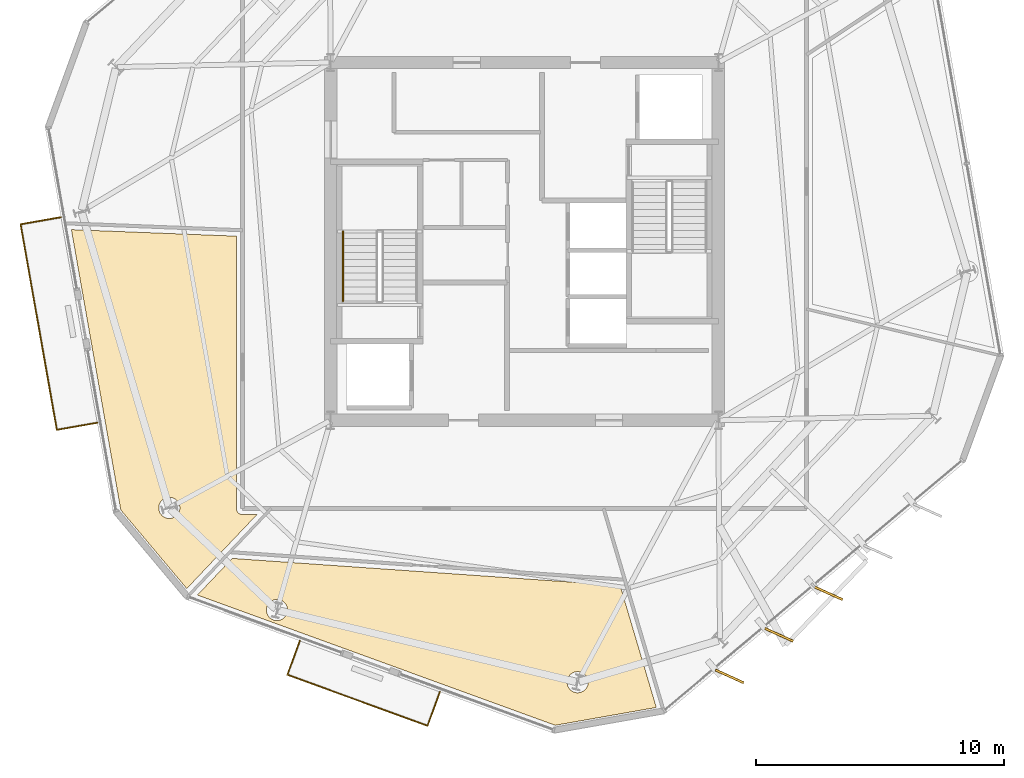
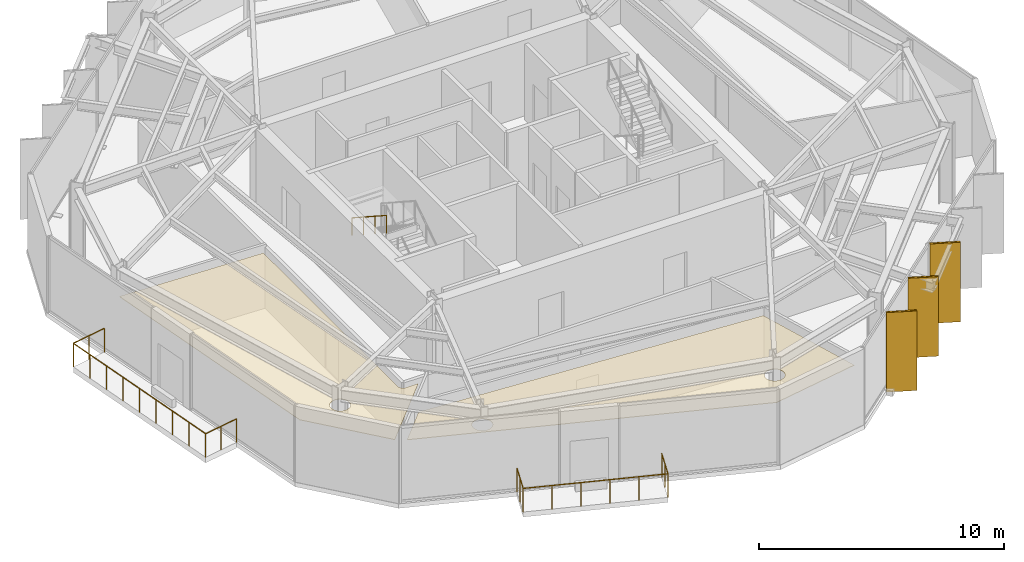
# One storey, part 9 of 11: 5 coverings, 3 railings, 3 shading devices.
"""IFC4 building model written with IfcOpenShell, lengths in metres."""

from ifc_helpers import new_model, si_unit, direction, frame, origin, origin_2d, place, context, subcontext, project, spatial, polyline, rectangle, circle, outline, extrude, material, layer, layer_set, type_object, element, save


model = new_model("IFC4")

# Units and contexts
model_context = context("Model", 3, precision=1e-05, world=origin(), true_north=direction((0.0, 1.0)))
body_context = subcontext(model_context, "Body", "Model", "MODEL_VIEW")
ifc_project = project(units=[si_unit("LENGTHUNIT", "METRE"), si_unit("AREAUNIT", "SQUARE_METRE"), si_unit("VOLUMEUNIT", "CUBIC_METRE"), si_unit("PLANEANGLEUNIT", "RADIAN"), si_unit("MASSUNIT", "GRAM", prefix="KILO")], contexts=[model_context])

# Site, building, storey
site_placement = place(None, origin())
site = spatial("IfcSite", under=ifc_project, at=site_placement, CompositionType="ELEMENT")
building_placement = place(site_placement, origin())
building = spatial("IfcBuilding", under=site, at=building_placement, Name="Kranzbogen Civic Tower", CompositionType="ELEMENT")
storey_placement = place(building_placement, frame((0.0, 0.0, 184.800048828125)))
storey = spatial("IfcBuildingStorey", under=building, at=storey_placement, Name="L44", CompositionType="ELEMENT", Elevation=184.800048828125)

# Coverings
ifc_material_1 = material(Name="Pale Anodised Aluminium", Category="aluminium")
ifc_layer_1 = layer(ifc_material_1, 0.02490234375, Name="Pale Anodised Aluminium")
ifc_layer_set_1 = layer_set([ifc_layer_1], Name="Pale Anodised Aluminium")
covering_type_1 = type_object("IfcCoveringType", Name="Anodised Aluminium Vertical Fin Cladding 25 mm", PredefinedType="CLADDING", material=ifc_layer_set_1)
for number, where, z_axis, x_axis, name in (
    (1, (33.2529296875, 7.49609375, -0.14013671875), (0.0, 0.0, 1.0), (0.91100063367, -0.412404953235, 0.0), "L44 vertical fin pale-metal cladding F5-1"),
    (2, (35.2451171875, 9.1669921875, -0.14013671875), (0.0, 0.0, 1.0), (0.91100063367, -0.412404953235, 0.0), "L44 vertical fin pale-metal cladding F5-2"),
    (3, (37.236083984375, 10.839111328125, -0.14013671875), (0.0, 0.0, 1.0), (0.91100063367, -0.412404953235, 0.0), "L44 vertical fin pale-metal cladding F5-3"),
):
    element("IfcCovering", number, at=place(storey_placement, frame(where, z_axis=z_axis, x_axis=x_axis)), inside=storey, type_object=covering_type_1, Name=name, PredefinedType="CLADDING", context=body_context, shape_type="SweptSolid", body=[
        extrude(rectangle(XDim=1.25, YDim=0.10009765625, at=origin_2d()), origin(), (0.0, 0.0, 1.0), 3.9599609375),
    ])

# Shading devices
ifc_material_2 = material(Name="Anodised Bronze Aluminium", Category="aluminium")
shading_device_type = type_object("IfcShadingDeviceType", Name="Anodised Bronze Vertical Facade Fin 1250x80", PredefinedType="USERDEFINED", material=ifc_material_2)
for number, where, z_axis, x_axis, name in (
    (4, (33.2529296875, 7.49609375, -0.14013671875), (0.0, 0.0, 1.0), (0.91100063367, -0.412404953235, 0.0), "L44 vertical exterior shading fin F5-1"),
    (5, (35.2451171875, 9.1669921875, -0.14013671875), (0.0, 0.0, 1.0), (0.91100063367, -0.412404953235, 0.0), "L44 vertical exterior shading fin F5-2"),
    (6, (37.236083984375, 10.839111328125, -0.14013671875), (0.0, 0.0, 1.0), (0.91100063367, -0.412404953235, 0.0), "L44 vertical exterior shading fin F5-3"),
):
    element("IfcShadingDevice", number, at=place(storey_placement, frame(where, z_axis=z_axis, x_axis=x_axis)), inside=storey, type_object=shading_device_type, Name=name, ObjectType="FIN", PredefinedType="USERDEFINED", context=body_context, shape_type="SweptSolid", body=[
        extrude(rectangle(XDim=1.25, YDim=0.080078125, at=origin_2d()), origin(), (0.0, 0.0, 1.0), 3.9599609375),
    ])

# Railings
railing_type_1 = type_object("IfcRailingType", Name="Cantilevered Balcony Glass and Bronze Balustrade 1200", PredefinedType="BALUSTRADE", material=ifc_material_2)
railing_1_placement = place(storey_placement, frame((15.9560546875, 8.924072265625, 0.0)))
element("IfcRailing", 7, at=railing_1_placement, inside=storey, type_object=railing_type_1, Name="L44 exterior terrace balustrade L44-TB1", PredefinedType="BALUSTRADE", context=body_context, shape_type="SweptSolid", body=[
    extrude(circle(Radius=0.02392578125, at=origin_2d()), frame((0.0, 0.0, 1.17578125), z_axis=(-0.342013333644, -0.939695099279, 0.0), x_axis=(0.939695099279, -0.342013333644, 0.0)), (0.0, 0.0, 1.0), 1.450439453125),
    extrude(circle(Radius=0.02392578125, at=origin_2d()), frame((-0.49609375, -1.363037109375, 1.17578125), z_axis=(0.939694773679, -0.342014228241, 0.0), x_axis=(0.342014228241, 0.939694773679, 0.0)), (0.0, 0.0, 1.0), 5.999755859375),
    extrude(circle(Radius=0.02392578125, at=origin_2d()), frame((5.141845703125, -3.4150390625, 1.17578125), z_axis=(0.342013333644, 0.939695099279, 0.0), x_axis=(-0.939695099279, 0.342013333644, 0.0)), (0.0, 0.0, 1.0), 1.450439453125),
    extrude(circle(Radius=0.02099609375, at=origin_2d()), origin(), (0.0, 0.0, 1.0), 1.15185546875),
    extrude(circle(Radius=0.02099609375, at=origin_2d()), frame((-0.248046875, -0.681640625, 0.0)), (0.0, 0.0, 1.0), 1.15185546875),
    extrude(circle(Radius=0.02099609375, at=origin_2d()), frame((-0.49609375, -1.363037109375, 0.0)), (0.0, 0.0, 1.0), 1.15185546875),
    extrude(circle(Radius=0.02099609375, at=origin_2d()), frame((0.631591796875, -1.7734375, 0.0)), (0.0, 0.0, 1.0), 1.15185546875),
    extrude(circle(Radius=0.02099609375, at=origin_2d()), frame((1.759033203125, -2.183837890625, 0.0)), (0.0, 0.0, 1.0), 1.15185546875),
    extrude(circle(Radius=0.02099609375, at=origin_2d()), frame((2.88671875, -2.59423828125, 0.0)), (0.0, 0.0, 1.0), 1.15185546875),
    extrude(circle(Radius=0.02099609375, at=origin_2d()), frame((4.01416015625, -3.004638671875, 0.0)), (0.0, 0.0, 1.0), 1.15185546875),
    extrude(circle(Radius=0.02099609375, at=origin_2d()), frame((5.141845703125, -3.4150390625, 0.0)), (0.0, 0.0, 1.0), 1.15185546875),
    extrude(circle(Radius=0.02099609375, at=origin_2d()), frame((5.389892578125, -2.7333984375, 0.0)), (0.0, 0.0, 1.0), 1.15185546875),
    extrude(circle(Radius=0.02099609375, at=origin_2d()), frame((5.637939453125, -2.052001953125, 0.0)), (0.0, 0.0, 1.0), 1.15185546875),
])
railing_2_placement = place(storey_placement, frame((6.346923828125, 25.97607421875, 0.0)))
element("IfcRailing", 8, at=railing_2_placement, inside=storey, type_object=railing_type_1, Name="L44 exterior terrace balustrade L44-ST", PredefinedType="BALUSTRADE", context=body_context, shape_type="SweptSolid", body=[
    extrude(circle(Radius=0.02392578125, at=origin_2d()), frame((0.0, 0.0, 1.17578125), z_axis=(-0.984747791946, -0.173987891125, 0.0), x_axis=(0.173987891125, -0.984747791946, 0.0)), (0.0, 0.0, 1.0), 1.650146484375),
    extrude(circle(Radius=0.02392578125, at=origin_2d()), frame((-1.625, -0.287109375, 1.17578125), z_axis=(0.173675910599, -0.984802862545, 0.0), x_axis=(0.984802862545, 0.173675910599, 0.0)), (0.0, 0.0, 1.0), 8.400634765625),
    extrude(circle(Radius=0.02392578125, at=origin_2d()), frame((-0.166015625, -8.56005859375, 1.17578125), z_axis=(0.984773130849, 0.173844415377, 0.0), x_axis=(-0.173844415377, 0.984773130849, 0.0)), (0.0, 0.0, 1.0), 1.650146484375),
    extrude(circle(Radius=0.02099609375, at=origin_2d()), origin(), (0.0, 0.0, 1.0), 1.15185546875),
    extrude(circle(Radius=0.02099609375, at=origin_2d()), frame((-0.8125, -0.1435546875, 0.0)), (0.0, 0.0, 1.0), 1.15185546875),
    extrude(circle(Radius=0.02099609375, at=origin_2d()), frame((-1.625, -0.287109375, 0.0)), (0.0, 0.0, 1.0), 1.15185546875),
    extrude(circle(Radius=0.02099609375, at=origin_2d()), frame((-1.442626953125, -1.3212890625, 0.0)), (0.0, 0.0, 1.0), 1.15185546875),
    extrude(circle(Radius=0.02099609375, at=origin_2d()), frame((-1.26025390625, -2.35546875, 0.0)), (0.0, 0.0, 1.0), 1.15185546875),
    extrude(circle(Radius=0.02099609375, at=origin_2d()), frame((-1.077880859375, -3.389404296875, 0.0)), (0.0, 0.0, 1.0), 1.15185546875),
    extrude(circle(Radius=0.02099609375, at=origin_2d()), frame((-0.8955078125, -4.423583984375, 0.0)), (0.0, 0.0, 1.0), 1.15185546875),
    extrude(circle(Radius=0.02099609375, at=origin_2d()), frame((-0.713134765625, -5.457763671875, 0.0)), (0.0, 0.0, 1.0), 1.15185546875),
    extrude(circle(Radius=0.02099609375, at=origin_2d()), frame((-0.53076171875, -6.49169921875, 0.0)), (0.0, 0.0, 1.0), 1.15185546875),
    extrude(circle(Radius=0.02099609375, at=origin_2d()), frame((-0.348388671875, -7.52587890625, 0.0)), (0.0, 0.0, 1.0), 1.15185546875),
    extrude(circle(Radius=0.02099609375, at=origin_2d()), frame((-0.166015625, -8.56005859375, 0.0)), (0.0, 0.0, 1.0), 1.15185546875),
    extrude(circle(Radius=0.02099609375, at=origin_2d()), frame((0.646484375, -8.41650390625, 0.0)), (0.0, 0.0, 1.0), 1.15185546875),
    extrude(circle(Radius=0.02099609375, at=origin_2d()), frame((1.458984375, -8.273193359375, 0.0)), (0.0, 0.0, 1.0), 1.15185546875),
])

# Coverings
ifc_material_3 = material(Name="Perforated Acoustic Gypsum Ceiling")
ifc_layer_2 = layer(ifc_material_3, 0.02490234375, Name="Perforated Acoustic Gypsum Ceiling")
ifc_layer_set_2 = layer_set([ifc_layer_2], Name="Perforated Acoustic Gypsum Ceiling")
covering_type_2 = type_object("IfcCoveringType", Name="Perforated Acoustic Mineral Ceiling Tile 25 mm", PredefinedType="CEILING", material=ifc_layer_set_2)
covering_1_placement = place(storey_placement, frame((0.0, 0.0, 2.89990234375)))
element("IfcCovering", 9, at=covering_1_placement, inside=storey, type_object=covering_type_2, Name="L44 Civic Reference Library acoustic ceiling", PredefinedType="CEILING", context=body_context, shape_type="SweptSolid", body=[
    extrude(outline(polyline([(6.76611328125, 25.47412109375), (13.405029296875, 25.2119140625), (13.405029296875, 14.25), (13.405029296875, 14.240966796875), (13.406005859375, 14.235107421875), (13.406982421875, 14.217041015625), (13.407958984375, 14.2109375), (13.412109375, 14.194091796875), (13.4130859375, 14.18701171875), (13.41796875, 14.169921875), (13.419921875, 14.1640625), (13.427001953125, 14.14794921875), (13.429931640625, 14.14208984375), (13.43798828125, 14.126953125), (13.44189453125, 14.12109375), (13.450927734375, 14.10693359375), (13.455078125, 14.10205078125), (13.466064453125, 14.087890625), (13.470947265625, 14.0830078125), (13.48291015625, 14.071044921875), (13.488037109375, 14.06591796875), (13.501953125, 14.054931640625), (13.507080078125, 14.051025390625), (13.52099609375, 14.0419921875), (13.527099609375, 14.0380859375), (13.5419921875, 14.030029296875), (13.548095703125, 14.027099609375), (13.56396484375, 14.02001953125), (13.570068359375, 14.01806640625), (13.5869140625, 14.012939453125), (13.593994140625, 14.011962890625), (13.611083984375, 14.008056640625), (13.616943359375, 14.007080078125), (13.635009765625, 14.006103515625), (13.64111328125, 14.0048828125), (13.64990234375, 14.0048828125), (14.23193359375, 14.0048828125), (11.409912109375, 11.029052734375), (8.7548828125, 14.19189453125), (6.76611328125, 25.47412109375)]), holes=[polyline([(11.10009765625, 14.113037109375), (11.08203125, 14.074951171875), (11.06103515625, 14.0400390625), (11.035888671875, 14.006103515625), (11.008056640625, 13.97509765625), (10.97705078125, 13.947021484375), (10.943115234375, 13.922119140625), (10.907958984375, 13.90087890625), (10.8701171875, 13.883056640625), (10.8310546875, 13.868896484375), (10.7900390625, 13.85888671875), (10.7490234375, 13.85302734375), (10.70703125, 13.85107421875), (10.6650390625, 13.85302734375), (10.6240234375, 13.85888671875), (10.5830078125, 13.868896484375), (10.5439453125, 13.883056640625), (10.506103515625, 13.90087890625), (10.470947265625, 13.922119140625), (10.43701171875, 13.947021484375), (10.406005859375, 13.97509765625), (10.3779296875, 14.006103515625), (10.35302734375, 14.0400390625), (10.33203125, 14.074951171875), (10.31396484375, 14.113037109375), (10.300048828125, 14.152099609375), (10.2900390625, 14.193115234375), (10.283935546875, 14.23388671875), (10.281982421875, 14.27587890625), (10.283935546875, 14.318115234375), (10.2900390625, 14.35888671875), (10.300048828125, 14.39990234375), (10.31396484375, 14.43896484375), (10.33203125, 14.47705078125), (10.35302734375, 14.511962890625), (10.3779296875, 14.5458984375), (10.406005859375, 14.576904296875), (10.43701171875, 14.60498046875), (10.470947265625, 14.6298828125), (10.506103515625, 14.65087890625), (10.5439453125, 14.6689453125), (10.5830078125, 14.68310546875), (10.6240234375, 14.693115234375), (10.6650390625, 14.698974609375), (10.70703125, 14.700927734375), (10.7490234375, 14.698974609375), (10.7900390625, 14.693115234375), (10.8310546875, 14.68310546875), (10.8701171875, 14.6689453125), (10.907958984375, 14.65087890625), (10.943115234375, 14.6298828125), (10.97705078125, 14.60498046875), (11.008056640625, 14.576904296875), (11.035888671875, 14.5458984375), (11.06103515625, 14.511962890625), (11.08203125, 14.47705078125), (11.10009765625, 14.43896484375), (11.114013671875, 14.39990234375), (11.1240234375, 14.35888671875), (11.1298828125, 14.318115234375), (11.132080078125, 14.27587890625), (11.1298828125, 14.23388671875), (11.1240234375, 14.193115234375), (11.114013671875, 14.152099609375), (11.10009765625, 14.113037109375)])]), origin(), (0.0, 0.0, 1.0), 0.025146484375),
])
covering_2_placement = place(storey_placement, frame((0.0, 0.0, 2.89990234375)))
element("IfcCovering", 10, at=covering_2_placement, inside=storey, type_object=covering_type_2, Name="L44 Cultural Screening Clubroom acoustic ceiling", PredefinedType="CEILING", context=body_context, shape_type="SweptSolid", body=[
    extrude(outline(polyline([(13.238037109375, 12.243896484375), (28.84912109375, 11.153076171875), (30.303955078125, 6.2451171875), (26.237060546875, 5.527099609375), (11.837890625, 10.76904296875), (13.238037109375, 12.243896484375)]), holes=[polyline([(15.431884765625, 10.001953125), (15.4140625, 9.964111328125), (15.39306640625, 9.928955078125), (15.367919921875, 9.89501953125), (15.340087890625, 9.864013671875), (15.30908203125, 9.8359375), (15.27490234375, 9.81103515625), (15.239990234375, 9.7900390625), (15.201904296875, 9.77197265625), (15.1630859375, 9.758056640625), (15.1220703125, 9.748046875), (15.0810546875, 9.741943359375), (15.0390625, 9.739990234375), (14.9970703125, 9.741943359375), (14.9560546875, 9.748046875), (14.9150390625, 9.758056640625), (14.8759765625, 9.77197265625), (14.837890625, 9.7900390625), (14.802978515625, 9.81103515625), (14.76904296875, 9.8359375), (14.738037109375, 9.864013671875), (14.7099609375, 9.89501953125), (14.68505859375, 9.928955078125), (14.6640625, 9.964111328125), (14.64599609375, 10.001953125), (14.632080078125, 10.041015625), (14.6220703125, 10.08203125), (14.615966796875, 10.123046875), (14.614013671875, 10.1650390625), (14.615966796875, 10.20703125), (14.6220703125, 10.248046875), (14.632080078125, 10.2890625), (14.64599609375, 10.327880859375), (14.6640625, 10.365966796875), (14.68505859375, 10.40087890625), (14.7099609375, 10.43505859375), (14.738037109375, 10.466064453125), (14.76904296875, 10.493896484375), (14.802978515625, 10.51904296875), (14.837890625, 10.5400390625), (14.8759765625, 10.55810546875), (14.9150390625, 10.572021484375), (14.9560546875, 10.58203125), (14.9970703125, 10.587890625), (15.0390625, 10.590087890625), (15.0810546875, 10.587890625), (15.1220703125, 10.58203125), (15.1630859375, 10.572021484375), (15.201904296875, 10.55810546875), (15.239990234375, 10.5400390625), (15.27490234375, 10.51904296875), (15.30908203125, 10.493896484375), (15.340087890625, 10.466064453125), (15.367919921875, 10.43505859375), (15.39306640625, 10.40087890625), (15.4140625, 10.365966796875), (15.431884765625, 10.327880859375), (15.446044921875, 10.2890625), (15.4560546875, 10.248046875), (15.4619140625, 10.20703125), (15.464111328125, 10.1650390625), (15.4619140625, 10.123046875), (15.4560546875, 10.08203125), (15.446044921875, 10.041015625), (15.431884765625, 10.001953125)]), polyline([(27.532958984375, 7.096923828125), (27.514892578125, 7.05908203125), (27.493896484375, 7.02392578125), (27.468994140625, 6.989990234375), (27.44091796875, 6.958984375), (27.409912109375, 6.930908203125), (27.3759765625, 6.906005859375), (27.341064453125, 6.885009765625), (27.302978515625, 6.866943359375), (27.263916015625, 6.85302734375), (27.222900390625, 6.843017578125), (27.181884765625, 6.8369140625), (27.139892578125, 6.8349609375), (27.097900390625, 6.8369140625), (27.056884765625, 6.843017578125), (27.01611328125, 6.85302734375), (26.97705078125, 6.866943359375), (26.93896484375, 6.885009765625), (26.904052734375, 6.906005859375), (26.8701171875, 6.930908203125), (26.839111328125, 6.958984375), (26.81103515625, 6.989990234375), (26.785888671875, 7.02392578125), (26.764892578125, 7.05908203125), (26.7470703125, 7.096923828125), (26.73291015625, 7.135986328125), (26.722900390625, 7.177001953125), (26.717041015625, 7.218017578125), (26.715087890625, 7.260009765625), (26.717041015625, 7.302001953125), (26.722900390625, 7.343017578125), (26.73291015625, 7.384033203125), (26.7470703125, 7.423095703125), (26.764892578125, 7.4609375), (26.785888671875, 7.49609375), (26.81103515625, 7.530029296875), (26.839111328125, 7.56103515625), (26.8701171875, 7.589111328125), (26.904052734375, 7.614013671875), (26.93896484375, 7.635009765625), (26.97705078125, 7.653076171875), (27.01611328125, 7.6669921875), (27.056884765625, 7.677001953125), (27.097900390625, 7.68310546875), (27.139892578125, 7.68505859375), (27.181884765625, 7.68310546875), (27.222900390625, 7.677001953125), (27.263916015625, 7.6669921875), (27.302978515625, 7.653076171875), (27.341064453125, 7.635009765625), (27.3759765625, 7.614013671875), (27.409912109375, 7.589111328125), (27.44091796875, 7.56103515625), (27.468994140625, 7.530029296875), (27.493896484375, 7.49609375), (27.514892578125, 7.4609375), (27.532958984375, 7.423095703125), (27.547119140625, 7.384033203125), (27.556884765625, 7.343017578125), (27.56298828125, 7.302001953125), (27.56494140625, 7.260009765625), (27.56298828125, 7.218017578125), (27.556884765625, 7.177001953125), (27.547119140625, 7.135986328125), (27.532958984375, 7.096923828125)])]), origin(), (0.0, 0.0, 1.0), 0.025146484375),
])

# Railing
railing_type_2 = type_object("IfcRailingType", Name="Tubular Stainless Stair Wall Handrail 900", PredefinedType="HANDRAIL", material=ifc_material_1)
railing_3_placement = place(storey_placement, frame((17.699951171875, 25.39990234375, 2.181884765625)))
element("IfcRailing", 11, at=railing_3_placement, inside=storey, type_object=railing_type_2, Name="L44 ST-T1 stair handrail 2", PredefinedType="HANDRAIL", context=body_context, shape_type="SweptSolid", body=[
    extrude(circle(Radius=0.02392578125, at=origin_2d()), frame((0.0, 0.0, 0.8759765625), z_axis=(0.0, -0.83868413941, 0.544618136222), x_axis=(1.0, 0.0, 0.0)), (0.0, 0.0, 1.0), 3.33837890625),
    extrude(circle(Radius=0.02099609375, at=origin_2d()), origin(), (0.0, 0.0, 1.0), 0.851806640625),
    extrude(circle(Radius=0.02099609375, at=origin_2d()), frame((0.0, -0.933349609375, 0.60595703125)), (0.0, 0.0, 1.0), 0.851806640625),
    extrude(circle(Radius=0.02099609375, at=origin_2d()), frame((0.0, -1.866455078125, 1.212158203125)), (0.0, 0.0, 1.0), 0.851806640625),
    extrude(circle(Radius=0.02099609375, at=origin_2d()), frame((0.0, -2.7998046875, 1.818115234375)), (0.0, 0.0, 1.0), 0.851806640625),
])

save(model, "model.ifc")
